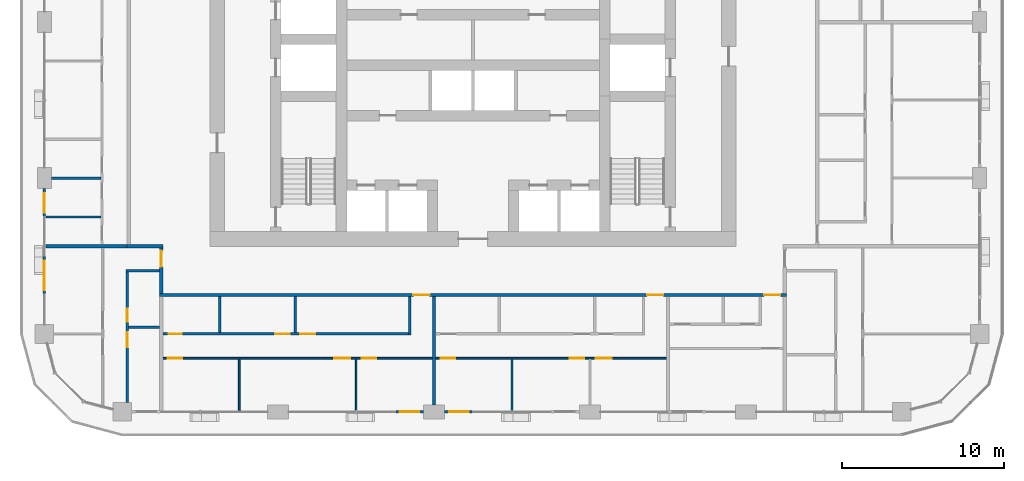
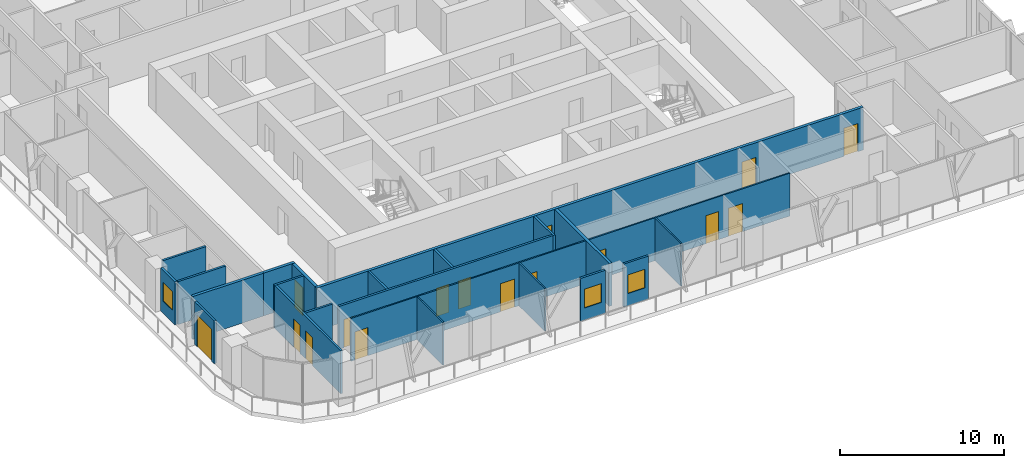
# One storey, part 9 of 21: 23 walls, 16 doors, 3 windows, 19 openings.
"""IFC4 building model written with IfcOpenShell, lengths in metres."""

from ifc_helpers import new_model, si_unit, direction, frame, frame_2d, origin, place, context, subcontext, project, spatial, rectangle, extrude, material, layer, layer_set, type_object, element, fill, save


model = new_model("IFC4")

# Units and contexts
model_context = context("Model", 3, precision=1e-05, world=origin(), true_north=direction((0.0, 1.0)))
body_context = subcontext(model_context, "Body", "Model", "MODEL_VIEW")
ifc_project = project(units=[si_unit("LENGTHUNIT", "METRE"), si_unit("AREAUNIT", "SQUARE_METRE"), si_unit("VOLUMEUNIT", "CUBIC_METRE"), si_unit("PLANEANGLEUNIT", "RADIAN"), si_unit("MASSUNIT", "GRAM", prefix="KILO")], contexts=[model_context])

# Site, building, storey
site_placement = place(None, origin())
site = spatial("IfcSite", under=ifc_project, at=site_placement, CompositionType="ELEMENT")
building_placement = place(site_placement, origin())
building = spatial("IfcBuilding", under=site, at=building_placement, Name="Madar Terraces", CompositionType="ELEMENT")
storey_placement = place(building_placement, frame((0.0, 0.0, 96.199951171875)))
storey = spatial("IfcBuildingStorey", under=building, at=storey_placement, Name="L24", CompositionType="ELEMENT", Elevation=96.199951171875)

# Wall, opening, window
ifc_material_1 = material(Name="Aluminium composite panel, black, over insulated backing", Category="aluminium")
ifc_layer_1 = layer(ifc_material_1, 0.14990234375)
ifc_layer_set_1 = layer_set([ifc_layer_1], Name="Facade bay panel 150")
wall_type_1 = type_object("IfcWallType", Name="Facade bay panel 150", PredefinedType="SOLIDWALL", material=ifc_layer_set_1)
wall_1_placement = place(storey_placement, frame((26.39990234375, 4.800048828125, 0.0), z_axis=(0.0, 0.0, 1.0), x_axis=(1.0, 0.0, 0.0)))
wall_1 = element("IfcWall", 1, at=wall_1_placement, inside=storey, type_object=wall_type_1, Name="Facade bay panel", PredefinedType="SOLIDWALL", context=body_context, shape_type="SweptSolid", body=[
    extrude(rectangle(XDim=1.75, YDim=0.14990234375, at=frame_2d((0.875, 0.0))), origin(), (0.0, 0.0, 1.0), 3.199951171875),
])
opening_1_placement = place(wall_1_placement, frame((0.27490234375, 0.0, 0.89990234375)))
opening_1 = element("IfcOpeningElement", 2, at=opening_1_placement, cuts=wall_1, Name="Opening W1", PredefinedType="OPENING", context=body_context, shape_type="SweptSolid", body=[
    extrude(rectangle(XDim=1.199951171875, YDim=1.39990234375, at=frame_2d((0.60009765625, 0.699951171875))), frame((0.0, 0.0849609375, 0.0), z_axis=(0.0, -1.0, 0.0), x_axis=(1.0, 0.0, 0.0)), (0.0, 0.0, 1.0), 0.169921875),
])
ifc_material_2 = material(Name="Glass, clear, with black aluminium frame", Category="aluminium")
window_type = type_object("IfcWindowType", Name="Vent window 1200 x 1400", PartitioningType="SINGLE_PANEL", PredefinedType="WINDOW", material=ifc_material_2)
window_1_placement = place(opening_1_placement, origin())
window_1 = element("IfcWindow", 3, at=window_1_placement, inside=storey, type_object=window_type, Name="Operable vent window", OverallHeight=1.39990234375, OverallWidth=1.199951171875, PartitioningType="SINGLE_PANEL", PredefinedType="WINDOW", context=body_context, shape_type="SweptSolid", body=[
    extrude(rectangle(XDim=1.199951171875, YDim=1.39990234375, at=frame_2d((0.60009765625, 0.699951171875))), frame((0.0, 0.030029296875, 0.0), z_axis=(0.0, -1.0, 0.0), x_axis=(1.0, 0.0, 0.0)), (0.0, 0.0, 1.0), 0.06005859375),
])
fill(opening_1, window_1)

wall_2_placement = place(storey_placement, frame((29.449951171875, 4.800048828125, 0.0), z_axis=(0.0, 0.0, 1.0), x_axis=(1.0, 0.0, 0.0)))
wall_2 = element("IfcWall", 4, at=wall_2_placement, inside=storey, type_object=wall_type_1, Name="Facade bay panel", PredefinedType="SOLIDWALL", context=body_context, shape_type="SweptSolid", body=[
    extrude(rectangle(XDim=1.75, YDim=0.14990234375, at=frame_2d((0.875, 0.0))), origin(), (0.0, 0.0, 1.0), 3.199951171875),
])
opening_2_placement = place(wall_2_placement, frame((0.27490234375, 0.0, 0.89990234375)))
opening_2 = element("IfcOpeningElement", 5, at=opening_2_placement, cuts=wall_2, Name="Opening W1", PredefinedType="OPENING", context=body_context, shape_type="SweptSolid", body=[
    extrude(rectangle(XDim=1.199951171875, YDim=1.39990234375, at=frame_2d((0.60009765625, 0.699951171875))), frame((0.0, 0.0849609375, 0.0), z_axis=(0.0, -1.0, 0.0), x_axis=(1.0, 0.0, 0.0)), (0.0, 0.0, 1.0), 0.169921875),
])
window_2_placement = place(opening_2_placement, origin())
window_2 = element("IfcWindow", 6, at=window_2_placement, inside=storey, type_object=window_type, Name="Operable vent window", OverallHeight=1.39990234375, OverallWidth=1.199951171875, PartitioningType="SINGLE_PANEL", PredefinedType="WINDOW", context=body_context, shape_type="SweptSolid", body=[
    extrude(rectangle(XDim=1.199951171875, YDim=1.39990234375, at=frame_2d((0.60009765625, 0.699951171875))), frame((0.0, 0.030029296875, 0.0), z_axis=(0.0, -1.0, 0.0), x_axis=(1.0, 0.0, 0.0)), (0.0, 0.0, 1.0), 0.06005859375),
])
fill(opening_2, window_2)

wall_3_placement = place(storey_placement, frame((4.800048828125, 18.550048828125, 0.0), z_axis=(0.0, 0.0, 1.0), x_axis=(0.0, -1.0, 0.0)))
wall_3 = element("IfcWall", 7, at=wall_3_placement, inside=storey, type_object=wall_type_1, Name="Facade bay panel", PredefinedType="SOLIDWALL", context=body_context, shape_type="SweptSolid", body=[
    extrude(rectangle(XDim=1.75, YDim=0.14990234375, at=frame_2d((0.875, 0.0))), origin(), (0.0, 0.0, 1.0), 3.199951171875),
])
opening_3_placement = place(wall_3_placement, frame((0.27490234375, 0.0, 0.89990234375)))
opening_3 = element("IfcOpeningElement", 8, at=opening_3_placement, cuts=wall_3, Name="Opening W1", PredefinedType="OPENING", context=body_context, shape_type="SweptSolid", body=[
    extrude(rectangle(XDim=1.199951171875, YDim=1.39990234375, at=frame_2d((0.60009765625, 0.699951171875))), frame((0.0, 0.0849609375, 0.0), z_axis=(0.0, -1.0, 0.0), x_axis=(1.0, 0.0, 0.0)), (0.0, 0.0, 1.0), 0.169921875),
])
window_3_placement = place(opening_3_placement, origin())
window_3 = element("IfcWindow", 9, at=window_3_placement, inside=storey, type_object=window_type, Name="Operable vent window", OverallHeight=1.39990234375, OverallWidth=1.199951171875, PartitioningType="SINGLE_PANEL", PredefinedType="WINDOW", context=body_context, shape_type="SweptSolid", body=[
    extrude(rectangle(XDim=1.199951171875, YDim=1.39990234375, at=frame_2d((0.60009765625, 0.699951171875))), frame((0.0, 0.030029296875, 0.0), z_axis=(0.0, -1.0, 0.0), x_axis=(1.0, 0.0, 0.0)), (0.0, 0.0, 1.0), 0.06005859375),
])
fill(opening_3, window_3)

# Wall, opening, door
wall_4_placement = place(storey_placement, frame((4.800048828125, 14.39990234375, 0.0), z_axis=(0.0, 0.0, 1.0), x_axis=(0.0, -1.0, 0.0)))
wall_4 = element("IfcWall", 10, at=wall_4_placement, inside=storey, type_object=wall_type_1, Name="Facade bay panel", PredefinedType="SOLIDWALL", context=body_context, shape_type="SweptSolid", body=[
    extrude(rectangle(XDim=2.39990234375, YDim=0.14990234375, at=frame_2d((1.199951171875, 0.0))), origin(), (0.0, 0.0, 1.0), 3.199951171875),
])
opening_4_placement = place(wall_4_placement, frame((0.300048828125, 0.0, 0.0)))
opening_4 = element("IfcOpeningElement", 11, at=opening_4_placement, cuts=wall_4, Name="Opening ED1", PredefinedType="OPENING", context=body_context, shape_type="SweptSolid", body=[
    extrude(rectangle(XDim=1.800048828125, YDim=2.39990234375, at=frame_2d((0.89990234375, 1.199951171875))), frame((0.0, 0.0849609375, 0.0), z_axis=(0.0, -1.0, 0.0), x_axis=(1.0, 0.0, 0.0)), (0.0, 0.0, 1.0), 0.169921875),
])
ifc_material_3 = material(Name="Glass, clear, with black aluminium frame", Category="aluminium")
door_type_1 = type_object("IfcDoorType", Name="Balcony and terrace sliding door 1800 x 2400", OperationType="SLIDING_TO_LEFT", PredefinedType="DOOR", material=ifc_material_3)
door_1_placement = place(opening_4_placement, origin())
door_1 = element("IfcDoor", 12, at=door_1_placement, inside=storey, type_object=door_type_1, Name="Balcony door", OperationType="SLIDING_TO_RIGHT", OverallHeight=2.39990234375, OverallWidth=1.800048828125, PredefinedType="DOOR", context=body_context, shape_type="SweptSolid", body=[
    extrude(rectangle(XDim=1.800048828125, YDim=2.39990234375, at=frame_2d((0.89990234375, 1.199951171875))), frame((0.0, 0.02490234375, 0.0), z_axis=(0.0, -1.0, 0.0), x_axis=(1.0, 0.0, 0.0)), (0.0, 0.0, 1.0), 0.050048828125),
])
fill(opening_4, door_1)

# Walls
ifc_material_4 = material(Name="Gypsum board on steel studs", Category="steel")
ifc_layer_2 = layer(ifc_material_4, 0.10009765625)
ifc_layer_set_2 = layer_set([ifc_layer_2], Name="Flat partition 100")
wall_type_2 = type_object("IfcWallType", Name="Flat partition 100", PredefinedType="PARTITIONING", material=ifc_layer_set_2)
for number, where, z_axis, x_axis, name in (
    (13, (24.0, 8.050048828125, 0.0), (0.0, 0.0, 1.0), (0.0, -1.0, 0.0), "Flat partition 100"),
    (14, (16.800048828125, 8.050048828125, 0.0), (0.0, 0.0, 1.0), (0.0, -1.0, 0.0), "Flat partition 100"),
):
    element("IfcWall", number, at=place(storey_placement, frame(where, z_axis=z_axis, x_axis=x_axis)), inside=storey, type_object=wall_type_2, Name=name, PredefinedType="PARTITIONING", context=body_context, shape_type="SweptSolid", body=[
        extrude(rectangle(XDim=3.150146484375, YDim=0.10009765625, at=frame_2d((1.5751953125, 0.0))), origin(), (0.0, 0.0, 1.0), 3.199951171875),
    ])

# Wall, openings, doors
wall_5_placement = place(storey_placement, frame((28.699951171875, 8.10009765625, 0.0), z_axis=(0.0, 0.0, 1.0), x_axis=(-1.0, 0.0, 0.0)))
wall_5 = element("IfcWall", 15, at=wall_5_placement, inside=storey, type_object=wall_type_2, Name="Flat partition 100", PredefinedType="PARTITIONING", context=body_context, shape_type="SweptSolid", body=[
    extrude(rectangle(XDim=16.599853515625, YDim=0.10009765625, at=frame_2d((8.2998046875, 0.0))), origin(), (0.0, 0.0, 1.0), 3.199951171875),
])
opening_5_placement = place(wall_5_placement, frame((3.449951171875, 0.0, 0.0)))
opening_5 = element("IfcOpeningElement", 16, at=opening_5_placement, cuts=wall_5, Name="Opening D2", PredefinedType="OPENING", context=body_context, shape_type="SweptSolid", body=[
    extrude(rectangle(XDim=0.89990234375, YDim=2.10009765625, at=frame_2d((0.449951171875, 1.050048828125))), frame((0.0, 0.06005859375, 0.0), z_axis=(0.0, -1.0, 0.0), x_axis=(1.0, 0.0, 0.0)), (0.0, 0.0, 1.0), 0.1201171875),
])
opening_6_placement = place(wall_5_placement, frame((5.050048828125, 0.0, 0.0)))
opening_6 = element("IfcOpeningElement", 17, at=opening_6_placement, cuts=wall_5, Name="Opening D3", PredefinedType="OPENING", context=body_context, shape_type="SweptSolid", body=[
    extrude(rectangle(XDim=1.0, YDim=2.10009765625, at=frame_2d((0.5, 1.050048828125))), frame((0.0, 0.06005859375, 0.0), z_axis=(0.0, -1.0, 0.0), x_axis=(1.0, 0.0, 0.0)), (0.0, 0.0, 1.0), 0.1201171875),
])
opening_7_placement = place(wall_5_placement, frame((15.39990234375, 0.0, 0.0)))
opening_7 = element("IfcOpeningElement", 18, at=opening_7_placement, cuts=wall_5, Name="Opening D2", PredefinedType="OPENING", context=body_context, shape_type="SweptSolid", body=[
    extrude(rectangle(XDim=0.89990234375, YDim=2.10009765625, at=frame_2d((0.449951171875, 1.050048828125))), frame((0.0, 0.06005859375, 0.0), z_axis=(0.0, -1.0, 0.0), x_axis=(1.0, 0.0, 0.0)), (0.0, 0.0, 1.0), 0.1201171875),
])
ifc_material_5 = material(Name="Timber door leaf", Category="wood")
door_type_2 = type_object("IfcDoorType", Name="Flat living room door 1000", OperationType="NOTDEFINED", PredefinedType="DOOR", material=ifc_material_5)
door_2_placement = place(opening_6_placement, origin())
door_2 = element("IfcDoor", 19, at=door_2_placement, inside=storey, type_object=door_type_2, Name="Flat living room door 1000", OperationType="SINGLE_SWING_LEFT", OverallHeight=2.10009765625, OverallWidth=1.0, PredefinedType="DOOR", context=body_context, shape_type="SweptSolid", body=[
    extrude(rectangle(XDim=1.0, YDim=2.10009765625, at=frame_2d((0.5, 1.050048828125))), frame((0.0, 0.02490234375, 0.0), z_axis=(0.0, -1.0, 0.0), x_axis=(1.0, 0.0, 0.0)), (0.0, 0.0, 1.0), 0.050048828125),
])
fill(opening_6, door_2)
ifc_material_6 = material(Name="Timber door leaf", Category="wood")
door_type_3 = type_object("IfcDoorType", Name="Flat room door 900", OperationType="NOTDEFINED", PredefinedType="DOOR", material=ifc_material_6)
door_3_placement = place(opening_5_placement, origin())
door_3 = element("IfcDoor", 20, at=door_3_placement, inside=storey, type_object=door_type_3, Name="Flat room door 900", OperationType="SINGLE_SWING_RIGHT", OverallHeight=2.10009765625, OverallWidth=0.89990234375, PredefinedType="DOOR", context=body_context, shape_type="SweptSolid", body=[
    extrude(rectangle(XDim=0.89990234375, YDim=2.10009765625, at=frame_2d((0.449951171875, 1.050048828125))), frame((0.0, 0.02490234375, 0.0), z_axis=(0.0, -1.0, 0.0), x_axis=(1.0, 0.0, 0.0)), (0.0, 0.0, 1.0), 0.050048828125),
])
fill(opening_5, door_3)
door_4_placement = place(opening_7_placement, origin())
door_4 = element("IfcDoor", 21, at=door_4_placement, inside=storey, type_object=door_type_3, Name="Flat room door 900", OperationType="SINGLE_SWING_RIGHT", OverallHeight=2.10009765625, OverallWidth=0.89990234375, PredefinedType="DOOR", context=body_context, shape_type="SweptSolid", body=[
    extrude(rectangle(XDim=0.89990234375, YDim=2.10009765625, at=frame_2d((0.449951171875, 1.050048828125))), frame((0.0, 0.02490234375, 0.0), z_axis=(0.0, -1.0, 0.0), x_axis=(1.0, 0.0, 0.0)), (0.0, 0.0, 1.0), 0.050048828125),
])
fill(opening_7, door_4)

# Wall
wall_6_placement = place(storey_placement, frame((33.60009765625, 8.050048828125, 0.0), z_axis=(0.0, 0.0, 1.0), x_axis=(0.0, -1.0, 0.0)))
element("IfcWall", 22, at=wall_6_placement, inside=storey, type_object=wall_type_2, Name="Flat partition 100", PredefinedType="PARTITIONING", context=body_context, shape_type="SweptSolid", body=[
    extrude(rectangle(XDim=3.150146484375, YDim=0.10009765625, at=frame_2d((1.5751953125, 0.0))), origin(), (0.0, 0.0, 1.0), 3.199951171875),
])

# Wall, openings, doors
wall_7_placement = place(storey_placement, frame((43.10009765625, 8.10009765625, 0.0), z_axis=(0.0, 0.0, 1.0), x_axis=(-1.0, 0.0, 0.0)))
wall_7 = element("IfcWall", 23, at=wall_7_placement, inside=storey, type_object=wall_type_2, Name="Flat partition 100", PredefinedType="PARTITIONING", context=body_context, shape_type="SweptSolid", body=[
    extrude(rectangle(XDim=14.2001953125, YDim=0.10009765625, at=frame_2d((7.10009765625, 0.0))), origin(), (0.0, 0.0, 1.0), 3.199951171875),
])
opening_8_placement = place(wall_7_placement, frame((3.35009765625, 0.0, 0.0)))
opening_8 = element("IfcOpeningElement", 24, at=opening_8_placement, cuts=wall_7, Name="Opening D3", PredefinedType="OPENING", context=body_context, shape_type="SweptSolid", body=[
    extrude(rectangle(XDim=1.0, YDim=2.10009765625, at=frame_2d((0.5, 1.050048828125))), frame((0.0, 0.06005859375, 0.0), z_axis=(0.0, -1.0, 0.0), x_axis=(1.0, 0.0, 0.0)), (0.0, 0.0, 1.0), 0.1201171875),
])
opening_9_placement = place(wall_7_placement, frame((5.050048828125, 0.0, 0.0)))
opening_9 = element("IfcOpeningElement", 25, at=opening_9_placement, cuts=wall_7, Name="Opening D2", PredefinedType="OPENING", context=body_context, shape_type="SweptSolid", body=[
    extrude(rectangle(XDim=0.89990234375, YDim=2.10009765625, at=frame_2d((0.449951171875, 1.050048828125))), frame((0.0, 0.06005859375, 0.0), z_axis=(0.0, -1.0, 0.0), x_axis=(1.0, 0.0, 0.0)), (0.0, 0.0, 1.0), 0.1201171875),
])
opening_10_placement = place(wall_7_placement, frame((13.0, 0.0, 0.0)))
opening_10 = element("IfcOpeningElement", 26, at=opening_10_placement, cuts=wall_7, Name="Opening D2", PredefinedType="OPENING", context=body_context, shape_type="SweptSolid", body=[
    extrude(rectangle(XDim=0.89990234375, YDim=2.10009765625, at=frame_2d((0.449951171875, 1.050048828125))), frame((0.0, 0.06005859375, 0.0), z_axis=(0.0, -1.0, 0.0), x_axis=(1.0, 0.0, 0.0)), (0.0, 0.0, 1.0), 0.1201171875),
])
door_5_placement = place(opening_8_placement, origin())
door_5 = element("IfcDoor", 27, at=door_5_placement, inside=storey, type_object=door_type_2, Name="Flat living room door 1000", OperationType="SINGLE_SWING_RIGHT", OverallHeight=2.10009765625, OverallWidth=1.0, PredefinedType="DOOR", context=body_context, shape_type="SweptSolid", body=[
    extrude(rectangle(XDim=1.0, YDim=2.10009765625, at=frame_2d((0.5, 1.050048828125))), frame((0.0, 0.02490234375, 0.0), z_axis=(0.0, -1.0, 0.0), x_axis=(1.0, 0.0, 0.0)), (0.0, 0.0, 1.0), 0.050048828125),
])
fill(opening_8, door_5)
door_6_placement = place(opening_9_placement, origin())
door_6 = element("IfcDoor", 28, at=door_6_placement, inside=storey, type_object=door_type_3, Name="Flat room door 900", OperationType="SINGLE_SWING_LEFT", OverallHeight=2.10009765625, OverallWidth=0.89990234375, PredefinedType="DOOR", context=body_context, shape_type="SweptSolid", body=[
    extrude(rectangle(XDim=0.89990234375, YDim=2.10009765625, at=frame_2d((0.449951171875, 1.050048828125))), frame((0.0, 0.02490234375, 0.0), z_axis=(0.0, -1.0, 0.0), x_axis=(1.0, 0.0, 0.0)), (0.0, 0.0, 1.0), 0.050048828125),
])
fill(opening_9, door_6)
door_7_placement = place(opening_10_placement, origin())
door_7 = element("IfcDoor", 29, at=door_7_placement, inside=storey, type_object=door_type_3, Name="Flat room door 900", OperationType="SINGLE_SWING_RIGHT", OverallHeight=2.10009765625, OverallWidth=0.89990234375, PredefinedType="DOOR", context=body_context, shape_type="SweptSolid", body=[
    extrude(rectangle(XDim=0.89990234375, YDim=2.10009765625, at=frame_2d((0.449951171875, 1.050048828125))), frame((0.0, 0.02490234375, 0.0), z_axis=(0.0, -1.0, 0.0), x_axis=(1.0, 0.0, 0.0)), (0.0, 0.0, 1.0), 0.050048828125),
])
fill(opening_10, door_7)

ifc_material_7 = material(Name="Lightweight blockwork", Category="masonry")
ifc_layer_3 = layer(ifc_material_7, 0.199951171875)
ifc_layer_set_3 = layer_set([ifc_layer_3], Name="Flat party and entrance wall 200")
wall_type_3 = type_object("IfcWallType", Name="Flat party and entrance wall 200", PredefinedType="PARTITIONING", material=ifc_layer_set_3)
wall_8_placement = place(storey_placement, frame((50.5, 12.0, 0.0), z_axis=(0.0, 0.0, 1.0), x_axis=(-1.0, 0.0, 0.0)))
wall_8 = element("IfcWall", 30, at=wall_8_placement, inside=storey, type_object=wall_type_3, Name="Flat party and entrance wall 200", PredefinedType="PARTITIONING", context=body_context, shape_type="SweptSolid", body=[
    extrude(rectangle(XDim=38.60009765625, YDim=0.199951171875, at=frame_2d((19.300048828125, 0.0))), origin(), (0.0, 0.0, 1.0), 3.199951171875),
])
opening_11_placement = place(wall_8_placement, frame((21.97509765625, 0.0, 0.0)))
opening_11 = element("IfcOpeningElement", 31, at=opening_11_placement, cuts=wall_8, Name="Opening D1", PredefinedType="OPENING", context=body_context, shape_type="SweptSolid", body=[
    extrude(rectangle(XDim=1.0, YDim=2.10009765625, at=frame_2d((0.5, 1.050048828125))), frame((0.0, 0.10986328125, 0.0), z_axis=(0.0, -1.0, 0.0), x_axis=(1.0, 0.0, 0.0)), (0.0, 0.0, 1.0), 0.219970703125),
])
opening_12_placement = place(wall_8_placement, frame((7.574951171875, 0.0, 0.0)))
opening_12 = element("IfcOpeningElement", 32, at=opening_12_placement, cuts=wall_8, Name="Opening D1", PredefinedType="OPENING", context=body_context, shape_type="SweptSolid", body=[
    extrude(rectangle(XDim=1.0, YDim=2.10009765625, at=frame_2d((0.5, 1.050048828125))), frame((0.0, 0.10986328125, 0.0), z_axis=(0.0, -1.0, 0.0), x_axis=(1.0, 0.0, 0.0)), (0.0, 0.0, 1.0), 0.219970703125),
])
opening_13_placement = place(wall_8_placement, frame((0.375, 0.0, 0.0)))
opening_13 = element("IfcOpeningElement", 33, at=opening_13_placement, cuts=wall_8, Name="Opening D1", PredefinedType="OPENING", context=body_context, shape_type="SweptSolid", body=[
    extrude(rectangle(XDim=1.0, YDim=2.10009765625, at=frame_2d((0.5, 1.050048828125))), frame((0.0, 0.10986328125, 0.0), z_axis=(0.0, -1.0, 0.0), x_axis=(1.0, 0.0, 0.0)), (0.0, 0.0, 1.0), 0.219970703125),
])
ifc_material_8 = material(Name="Timber fire door leaf", Category="wood")
door_type_4 = type_object("IfcDoorType", Name="Flat entrance door 1000 FD30S", OperationType="NOTDEFINED", PredefinedType="DOOR", material=ifc_material_8)
door_8_placement = place(opening_11_placement, origin())
door_8 = element("IfcDoor", 34, at=door_8_placement, inside=storey, type_object=door_type_4, Name="Flat entrance door 1000 FD30S", OperationType="SINGLE_SWING_LEFT", OverallHeight=2.10009765625, OverallWidth=1.0, PredefinedType="DOOR", context=body_context, shape_type="SweptSolid", body=[
    extrude(rectangle(XDim=1.0, YDim=2.10009765625, at=frame_2d((0.5, 1.050048828125))), frame((0.0, 0.02490234375, 0.0), z_axis=(0.0, -1.0, 0.0), x_axis=(1.0, 0.0, 0.0)), (0.0, 0.0, 1.0), 0.050048828125),
])
fill(opening_11, door_8)
door_9_placement = place(opening_12_placement, origin())
door_9 = element("IfcDoor", 35, at=door_9_placement, inside=storey, type_object=door_type_4, Name="Flat entrance door 1000 FD30S", OperationType="SINGLE_SWING_LEFT", OverallHeight=2.10009765625, OverallWidth=1.0, PredefinedType="DOOR", context=body_context, shape_type="SweptSolid", body=[
    extrude(rectangle(XDim=1.0, YDim=2.10009765625, at=frame_2d((0.5, 1.050048828125))), frame((0.0, 0.02490234375, 0.0), z_axis=(0.0, -1.0, 0.0), x_axis=(1.0, 0.0, 0.0)), (0.0, 0.0, 1.0), 0.050048828125),
])
fill(opening_12, door_9)
door_10_placement = place(opening_13_placement, origin())
door_10 = element("IfcDoor", 36, at=door_10_placement, inside=storey, type_object=door_type_4, Name="Flat entrance door 1000 FD30S", OperationType="SINGLE_SWING_LEFT", OverallHeight=2.10009765625, OverallWidth=1.0, PredefinedType="DOOR", context=body_context, shape_type="SweptSolid", body=[
    extrude(rectangle(XDim=1.0, YDim=2.10009765625, at=frame_2d((0.5, 1.050048828125))), frame((0.0, 0.02490234375, 0.0), z_axis=(0.0, -1.0, 0.0), x_axis=(1.0, 0.0, 0.0)), (0.0, 0.0, 1.0), 0.050048828125),
])
fill(opening_13, door_10)

# Wall
wall_9_placement = place(storey_placement, frame((9.89990234375, 15.0, 0.0), z_axis=(0.0, 0.0, 1.0), x_axis=(1.0, 0.0, 0.0)))
element("IfcWall", 37, at=wall_9_placement, inside=storey, type_object=wall_type_3, Name="Flat party and entrance wall 200", PredefinedType="PARTITIONING", context=body_context, shape_type="SweptSolid", body=[
    extrude(rectangle(XDim=2.2001953125, YDim=0.199951171875, at=frame_2d((1.10009765625, 0.0))), origin(), (0.0, 0.0, 1.0), 3.199951171875),
])

# Wall, opening, door
wall_10_placement = place(storey_placement, frame((12.0, 12.10009765625, 0.0), z_axis=(0.0, 0.0, 1.0), x_axis=(0.0, 1.0, 0.0)))
wall_10 = element("IfcWall", 38, at=wall_10_placement, inside=storey, type_object=wall_type_3, Name="Flat party and entrance wall 200", PredefinedType="PARTITIONING", context=body_context, shape_type="SweptSolid", body=[
    extrude(rectangle(XDim=2.7998046875, YDim=0.199951171875, at=frame_2d((1.39990234375, 0.0))), origin(), (0.0, 0.0, 1.0), 3.199951171875),
])
opening_14_placement = place(wall_10_placement, frame((1.625, 0.0, 0.0)))
opening_14 = element("IfcOpeningElement", 39, at=opening_14_placement, cuts=wall_10, Name="Opening D1", PredefinedType="OPENING", context=body_context, shape_type="SweptSolid", body=[
    extrude(rectangle(XDim=1.0, YDim=2.10009765625, at=frame_2d((0.5, 1.050048828125))), frame((0.0, 0.10986328125, 0.0), z_axis=(0.0, -1.0, 0.0), x_axis=(1.0, 0.0, 0.0)), (0.0, 0.0, 1.0), 0.219970703125),
])
door_11_placement = place(opening_14_placement, origin())
door_11 = element("IfcDoor", 40, at=door_11_placement, inside=storey, type_object=door_type_4, Name="Flat entrance door 1000 FD30S", OperationType="SINGLE_SWING_RIGHT", OverallHeight=2.10009765625, OverallWidth=1.0, PredefinedType="DOOR", context=body_context, shape_type="SweptSolid", body=[
    extrude(rectangle(XDim=1.0, YDim=2.10009765625, at=frame_2d((0.5, 1.050048828125))), frame((0.0, 0.02490234375, 0.0), z_axis=(0.0, -1.0, 0.0), x_axis=(1.0, 0.0, 0.0)), (0.0, 0.0, 1.0), 0.050048828125),
])
fill(opening_14, door_11)

# Walls
wall_11_placement = place(storey_placement, frame((28.800048828125, 11.89990234375, 0.0), z_axis=(0.0, 0.0, 1.0), x_axis=(0.0, -1.0, 0.0)))
element("IfcWall", 41, at=wall_11_placement, inside=storey, type_object=wall_type_3, Name="Flat party and entrance wall 200", PredefinedType="PARTITIONING", context=body_context, shape_type="SweptSolid", body=[
    extrude(rectangle(XDim=6.6748046875, YDim=0.199951171875, at=frame_2d((3.33740234375, 0.0))), origin(), (0.0, 0.0, 1.0), 3.199951171875),
])
wall_12_placement = place(storey_placement, frame((4.89990234375, 15.0, 0.0), z_axis=(0.0, 0.0, 1.0), x_axis=(1.0, 0.0, 0.0)))
element("IfcWall", 42, at=wall_12_placement, inside=storey, type_object=wall_type_3, Name="Flat party and entrance wall 200", PredefinedType="PARTITIONING", context=body_context, shape_type="SweptSolid", body=[
    extrude(rectangle(XDim=5.0, YDim=0.199951171875, at=frame_2d((2.5, 0.0))), origin(), (0.0, 0.0, 1.0), 3.199951171875),
])
ifc_material_9 = material(Name="Lightweight blockwork", Category="masonry")
ifc_layer_4 = layer(ifc_material_9, 0.14990234375)
ifc_layer_set_4 = layer_set([ifc_layer_4], Name="Flat wet-room partition 150")
wall_type_4 = type_object("IfcWallType", Name="Flat wet-room partition 150", PredefinedType="PARTITIONING", material=ifc_layer_set_4)
for number, where, z_axis, x_axis, name in (
    (43, (20.244140625, 11.89990234375, 0.0), (0.0, 0.0, 1.0), (0.0, -1.0, 0.0), "Flat wet-room partition 150"),
    (44, (15.59033203125, 11.89990234375, 0.0), (0.0, 0.0, 1.0), (0.0, -1.0, 0.0), "Flat wet-room partition 150"),
):
    element("IfcWall", number, at=place(storey_placement, frame(where, z_axis=z_axis, x_axis=x_axis)), inside=storey, type_object=wall_type_4, Name=name, PredefinedType="PARTITIONING", context=body_context, shape_type="SweptSolid", body=[
        extrude(rectangle(XDim=2.224853515625, YDim=0.14990234375, at=frame_2d((1.1123046875, 0.0))), origin(), (0.0, 0.0, 1.0), 3.199951171875),
    ])
wall_13_placement = place(storey_placement, frame((27.300048828125, 11.89990234375, 0.0), z_axis=(0.0, 0.0, 1.0), x_axis=(0.0, -1.0, 0.0)))
element("IfcWall", 45, at=wall_13_placement, inside=storey, type_object=wall_type_4, Name="Flat wet-room partition 150", PredefinedType="PARTITIONING", context=body_context, shape_type="SweptSolid", body=[
    extrude(rectangle(XDim=2.375, YDim=0.14990234375, at=frame_2d((1.1875, 0.0))), origin(), (0.0, 0.0, 1.0), 3.199951171875),
])

# Wall, openings, doors
wall_14_placement = place(storey_placement, frame((12.10009765625, 9.60009765625, 0.0), z_axis=(0.0, 0.0, 1.0), x_axis=(1.0, 0.0, 0.0)))
wall_14 = element("IfcWall", 46, at=wall_14_placement, inside=storey, type_object=wall_type_4, Name="Flat wet-room partition 150", PredefinedType="PARTITIONING", context=body_context, shape_type="SweptSolid", body=[
    extrude(rectangle(XDim=15.125, YDim=0.14990234375, at=frame_2d((7.5625, 0.0))), origin(), (0.0, 0.0, 1.0), 3.199951171875),
])
opening_15_placement = place(wall_14_placement, frame((8.46923828125, 0.0, 0.0)))
opening_15 = element("IfcOpeningElement", 47, at=opening_15_placement, cuts=wall_14, Name="Opening D2", PredefinedType="OPENING", context=body_context, shape_type="SweptSolid", body=[
    extrude(rectangle(XDim=0.89990234375, YDim=2.10009765625, at=frame_2d((0.449951171875, 1.050048828125))), frame((0.0, 0.0849609375, 0.0), z_axis=(0.0, -1.0, 0.0), x_axis=(1.0, 0.0, 0.0)), (0.0, 0.0, 1.0), 0.169921875),
])
opening_16_placement = place(wall_14_placement, frame((6.919189453125, 0.0, 0.0)))
opening_16 = element("IfcOpeningElement", 48, at=opening_16_placement, cuts=wall_14, Name="Opening D5", PredefinedType="OPENING", context=body_context, shape_type="SweptSolid", body=[
    extrude(rectangle(XDim=0.89990234375, YDim=2.10009765625, at=frame_2d((0.449951171875, 1.050048828125))), frame((0.0, 0.0849609375, 0.0), z_axis=(0.0, -1.0, 0.0), x_axis=(1.0, 0.0, 0.0)), (0.0, 0.0, 1.0), 0.169921875),
])
opening_17_placement = place(wall_14_placement, frame((0.35009765625, 0.0, 0.0)))
opening_17 = element("IfcOpeningElement", 49, at=opening_17_placement, cuts=wall_14, Name="Opening D4", PredefinedType="OPENING", context=body_context, shape_type="SweptSolid", body=[
    extrude(rectangle(XDim=0.800048828125, YDim=2.10009765625, at=frame_2d((0.39990234375, 1.050048828125))), frame((0.0, 0.0849609375, 0.0), z_axis=(0.0, -1.0, 0.0), x_axis=(1.0, 0.0, 0.0)), (0.0, 0.0, 1.0), 0.169921875),
])
ifc_material_10 = material(Name="Timber door leaf", Category="wood")
door_type_5 = type_object("IfcDoorType", Name="Flat accessible bathroom door 900", OperationType="NOTDEFINED", PredefinedType="DOOR", material=ifc_material_10)
door_12_placement = place(opening_16_placement, origin())
door_12 = element("IfcDoor", 50, at=door_12_placement, inside=storey, type_object=door_type_5, Name="Flat accessible bathroom door 900", OperationType="SINGLE_SWING_RIGHT", OverallHeight=2.10009765625, OverallWidth=0.89990234375, PredefinedType="DOOR", context=body_context, shape_type="SweptSolid", body=[
    extrude(rectangle(XDim=0.89990234375, YDim=2.10009765625, at=frame_2d((0.449951171875, 1.050048828125))), frame((0.0, 0.02490234375, 0.0), z_axis=(0.0, -1.0, 0.0), x_axis=(1.0, 0.0, 0.0)), (0.0, 0.0, 1.0), 0.050048828125),
])
fill(opening_16, door_12)
ifc_material_11 = material(Name="Timber door leaf", Category="wood")
door_type_6 = type_object("IfcDoorType", Name="Flat bathroom door 800", OperationType="NOTDEFINED", PredefinedType="DOOR", material=ifc_material_11)
door_13_placement = place(opening_17_placement, origin())
door_13 = element("IfcDoor", 51, at=door_13_placement, inside=storey, type_object=door_type_6, Name="Flat bathroom door 800", OperationType="SINGLE_SWING_LEFT", OverallHeight=2.10009765625, OverallWidth=0.800048828125, PredefinedType="DOOR", context=body_context, shape_type="SweptSolid", body=[
    extrude(rectangle(XDim=0.800048828125, YDim=2.10009765625, at=frame_2d((0.39990234375, 1.050048828125))), frame((0.0, 0.02490234375, 0.0), z_axis=(0.0, -1.0, 0.0), x_axis=(1.0, 0.0, 0.0)), (0.0, 0.0, 1.0), 0.050048828125),
])
fill(opening_17, door_13)
door_14_placement = place(opening_15_placement, origin())
door_14 = element("IfcDoor", 52, at=door_14_placement, inside=storey, type_object=door_type_3, Name="Flat room door 900", OperationType="SINGLE_SWING_LEFT", OverallHeight=2.10009765625, OverallWidth=0.89990234375, PredefinedType="DOOR", context=body_context, shape_type="SweptSolid", body=[
    extrude(rectangle(XDim=0.89990234375, YDim=2.10009765625, at=frame_2d((0.449951171875, 1.050048828125))), frame((0.0, 0.02490234375, 0.0), z_axis=(0.0, -1.0, 0.0), x_axis=(1.0, 0.0, 0.0)), (0.0, 0.0, 1.0), 0.050048828125),
])
fill(opening_15, door_14)

# Walls
wall_15_placement = place(storey_placement, frame((8.27490234375, 19.199951171875, 0.0), z_axis=(0.0, 0.0, 1.0), x_axis=(-1.0, 0.0, 0.0)))
element("IfcWall", 53, at=wall_15_placement, inside=storey, type_object=wall_type_4, Name="Flat wet-room partition 150", PredefinedType="PARTITIONING", context=body_context, shape_type="SweptSolid", body=[
    extrude(rectangle(XDim=3.0498046875, YDim=0.14990234375, at=frame_2d((1.52490234375, 0.0))), origin(), (0.0, 0.0, 1.0), 3.199951171875),
])
wall_16_placement = place(storey_placement, frame((8.27490234375, 16.800048828125, 0.0), z_axis=(0.0, 0.0, 1.0), x_axis=(-1.0, 0.0, 0.0)))
element("IfcWall", 54, at=wall_16_placement, inside=storey, type_object=wall_type_4, Name="Flat wet-room partition 150", PredefinedType="PARTITIONING", context=body_context, shape_type="SweptSolid", body=[
    extrude(rectangle(XDim=3.375, YDim=0.14990234375, at=frame_2d((1.6875, 0.0))), origin(), (0.0, 0.0, 1.0), 3.199951171875),
])
wall_17_placement = place(storey_placement, frame((11.89990234375, 10.014892578125, 0.0), z_axis=(0.0, 0.0, 1.0), x_axis=(-1.0, 0.0, 0.0)))
element("IfcWall", 55, at=wall_17_placement, inside=storey, type_object=wall_type_4, Name="Flat wet-room partition 150", PredefinedType="PARTITIONING", context=body_context, shape_type="SweptSolid", body=[
    extrude(rectangle(XDim=1.9248046875, YDim=0.14990234375, at=frame_2d((0.96240234375, 0.0))), origin(), (0.0, 0.0, 1.0), 3.199951171875),
])
wall_18_placement = place(storey_placement, frame((11.89990234375, 13.5, 0.0), z_axis=(0.0, 0.0, 1.0), x_axis=(-1.0, 0.0, 0.0)))
element("IfcWall", 56, at=wall_18_placement, inside=storey, type_object=wall_type_4, Name="Flat wet-room partition 150", PredefinedType="PARTITIONING", context=body_context, shape_type="SweptSolid", body=[
    extrude(rectangle(XDim=2.074951171875, YDim=0.14990234375, at=frame_2d((1.03759765625, 0.0))), origin(), (0.0, 0.0, 1.0), 3.199951171875),
])

# Wall, openings, doors
wall_19_placement = place(storey_placement, frame((9.89990234375, 13.425048828125, 0.0), z_axis=(0.0, 0.0, 1.0), x_axis=(0.0, -1.0, 0.0)))
wall_19 = element("IfcWall", 57, at=wall_19_placement, inside=storey, type_object=wall_type_4, Name="Flat wet-room partition 150", PredefinedType="PARTITIONING", context=body_context, shape_type="SweptSolid", body=[
    extrude(rectangle(XDim=8.050048828125, YDim=0.14990234375, at=frame_2d((4.02490234375, 0.0))), origin(), (0.0, 0.0, 1.0), 3.199951171875),
])
opening_18_placement = place(wall_19_placement, frame((2.284912109375, 0.0, 0.0)))
opening_18 = element("IfcOpeningElement", 58, at=opening_18_placement, cuts=wall_19, Name="Opening D4", PredefinedType="OPENING", context=body_context, shape_type="SweptSolid", body=[
    extrude(rectangle(XDim=0.800048828125, YDim=2.10009765625, at=frame_2d((0.39990234375, 1.050048828125))), frame((0.0, 0.0849609375, 0.0), z_axis=(0.0, -1.0, 0.0), x_axis=(1.0, 0.0, 0.0)), (0.0, 0.0, 1.0), 0.169921875),
])
opening_19_placement = place(wall_19_placement, frame((3.735107421875, 0.0, 0.0)))
opening_19 = element("IfcOpeningElement", 59, at=opening_19_placement, cuts=wall_19, Name="Opening D2", PredefinedType="OPENING", context=body_context, shape_type="SweptSolid", body=[
    extrude(rectangle(XDim=0.89990234375, YDim=2.10009765625, at=frame_2d((0.449951171875, 1.050048828125))), frame((0.0, 0.0849609375, 0.0), z_axis=(0.0, -1.0, 0.0), x_axis=(1.0, 0.0, 0.0)), (0.0, 0.0, 1.0), 0.169921875),
])
door_15_placement = place(opening_18_placement, origin())
door_15 = element("IfcDoor", 60, at=door_15_placement, inside=storey, type_object=door_type_6, Name="Flat bathroom door 800", OperationType="SINGLE_SWING_RIGHT", OverallHeight=2.10009765625, OverallWidth=0.800048828125, PredefinedType="DOOR", context=body_context, shape_type="SweptSolid", body=[
    extrude(rectangle(XDim=0.800048828125, YDim=2.10009765625, at=frame_2d((0.39990234375, 1.050048828125))), frame((0.0, 0.02490234375, 0.0), z_axis=(0.0, -1.0, 0.0), x_axis=(1.0, 0.0, 0.0)), (0.0, 0.0, 1.0), 0.050048828125),
])
fill(opening_18, door_15)
door_16_placement = place(opening_19_placement, origin())
door_16 = element("IfcDoor", 61, at=door_16_placement, inside=storey, type_object=door_type_3, Name="Flat room door 900", OperationType="SINGLE_SWING_LEFT", OverallHeight=2.10009765625, OverallWidth=0.89990234375, PredefinedType="DOOR", context=body_context, shape_type="SweptSolid", body=[
    extrude(rectangle(XDim=0.89990234375, YDim=2.10009765625, at=frame_2d((0.449951171875, 1.050048828125))), frame((0.0, 0.02490234375, 0.0), z_axis=(0.0, -1.0, 0.0), x_axis=(1.0, 0.0, 0.0)), (0.0, 0.0, 1.0), 0.050048828125),
])
fill(opening_19, door_16)

save(model, "model.ifc")
